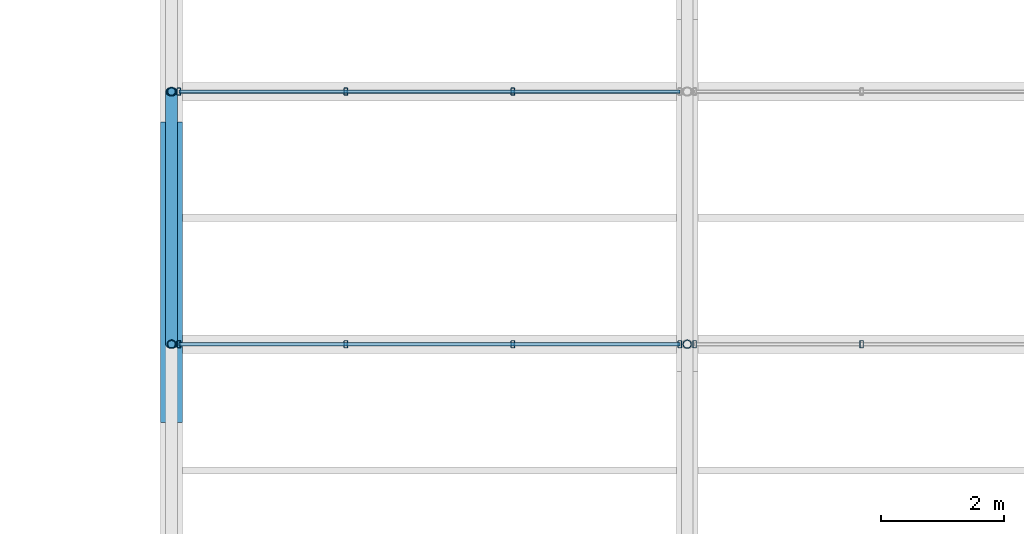
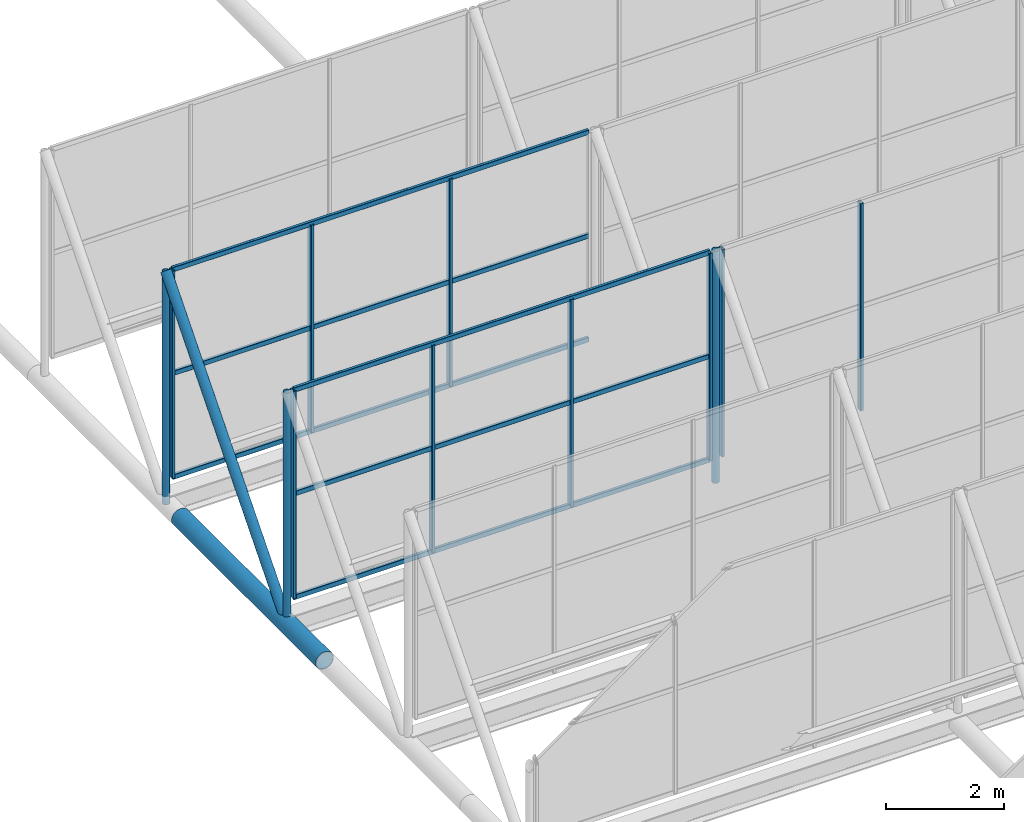
# One storey, part 18 of 77: 20 members, 3 elements without a shape of their own.
"""IFC4 building model written with IfcOpenShell, lengths in metres."""

from ifc_helpers import new_model, si_unit, derived_unit, direction, frame, origin, origin_2d, place, context, subcontext, project, spatial, hollow_rectangle, hollow_circle, extrude, material, material_profile, profile_set, type_object, element, aggregate, save


model = new_model("IFC4")

# Units and contexts
model_context = context("Model", 3, precision=1e-05, world=origin(), true_north=direction((0.0, 1.0)))
body_context = subcontext(model_context, "Body", "Model", "MODEL_VIEW")
ifc_project = project(units=[si_unit("LENGTHUNIT", "METRE"), si_unit("AREAUNIT", "SQUARE_METRE"), si_unit("VOLUMEUNIT", "CUBIC_METRE"), si_unit("PLANEANGLEUNIT", "RADIAN"), si_unit("MASSUNIT", "GRAM", prefix="KILO"), derived_unit("THERMALTRANSMITTANCEUNIT", [(si_unit("MASSUNIT", "GRAM", prefix="KILO"), 1), (si_unit("TIMEUNIT", "SECOND"), -3), (si_unit("THERMODYNAMICTEMPERATUREUNIT", "KELVIN"), -1)])], contexts=[model_context])

# Site, building, storey
site_placement = place(None, origin())
site = spatial("IfcSite", under=ifc_project, at=site_placement, CompositionType="ELEMENT")
building_placement = place(site_placement, origin())
building = spatial("IfcBuilding", under=site, at=building_placement, Name="Kharveza Railside Sports Centre", CompositionType="ELEMENT")
storey_placement = place(building_placement, frame((0.0, 0.0, 17.10009765625)))
storey = spatial("IfcBuildingStorey", under=building, at=storey_placement, Name="L04", CompositionType="ELEMENT", Elevation=17.10009765625)

# Curtain wall, members
ifc_material_1 = material(Name="Low-E solar-control laminated glass", Category="glass")
curtain_wall_type = type_object("IfcCurtainWallType", Name="CW-NL01", PredefinedType="NOTDEFINED", material=ifc_material_1)
curtain_wall_1_placement = place(storey_placement, origin())
curtain_wall_1 = element("IfcCurtainWall", 1, at=curtain_wall_1_placement, inside=storey, type_object=curtain_wall_type, Name="CW-V1NL-5-1", PredefinedType="NOTDEFINED")
ifc_material_2 = material(Name="Anodised aluminium 6063-T6", Category="aluminium")
ifc_material_profile_1 = material_profile(ifc_material_2, hollow_rectangle(XDim=0.06005859375, YDim=0.1201171875, WallThickness=0.0048828125, InnerFilletRadius=0.0048828125, OuterFilletRadius=0.010009765625, at=origin_2d()), Name="RHS 60x120x5.0")
ifc_profile_set_1 = profile_set([ifc_material_profile_1], Name="Anodised aluminium 6063-T6")
member_type_1 = type_object("IfcMemberType", Name="CW-ML05", PredefinedType="MULLION", material=ifc_profile_set_1)
member_1_placement = place(storey_placement, frame((33.719970703125, 56.5712890625, -0.550048828125), z_axis=(0.0, 0.0, 1.0), x_axis=(1.0, 0.0, 0.0)))
member_1 = element("IfcMember", 2, at=member_1_placement, type_object=member_type_1, Name="CW-V1NL-5-1-ML1", PredefinedType="MULLION", context=body_context, shape_type="SweptSolid", body=[
    extrude(hollow_rectangle(XDim=0.06005859375, YDim=0.1201171875, WallThickness=0.0048828125, InnerFilletRadius=0.0048828125, OuterFilletRadius=0.010009765625, at=origin_2d()), origin(), (0.0, 0.0, 1.0), 4.300048828125),
])
member_2_placement = place(storey_placement, frame((36.43994140625, 56.5712890625, -0.550048828125), z_axis=(0.0, 0.0, 1.0), x_axis=(1.0, 0.0, 0.0)))
member_2 = element("IfcMember", 3, at=member_2_placement, type_object=member_type_1, Name="CW-V1NL-5-1-ML2", PredefinedType="MULLION", context=body_context, shape_type="SweptSolid", body=[
    extrude(hollow_rectangle(XDim=0.06005859375, YDim=0.1201171875, WallThickness=0.0048828125, InnerFilletRadius=0.0048828125, OuterFilletRadius=0.010009765625, at=origin_2d()), origin(), (0.0, 0.0, 1.0), 4.300048828125),
])
member_3_placement = place(storey_placement, frame((39.159912109375, 56.5712890625, -0.550048828125), z_axis=(0.0, 0.0, 1.0), x_axis=(1.0, 0.0, 0.0)))
member_3 = element("IfcMember", 4, at=member_3_placement, type_object=member_type_1, Name="CW-V1NL-5-1-ML3", PredefinedType="MULLION", context=body_context, shape_type="SweptSolid", body=[
    extrude(hollow_rectangle(XDim=0.06005859375, YDim=0.1201171875, WallThickness=0.0048828125, InnerFilletRadius=0.0048828125, OuterFilletRadius=0.010009765625, at=origin_2d()), origin(), (0.0, 0.0, 1.0), 4.300048828125),
])
member_4_placement = place(storey_placement, frame((41.8798828125, 56.5712890625, -0.550048828125), z_axis=(0.0, 0.0, 1.0), x_axis=(1.0, 0.0, 0.0)))
member_4 = element("IfcMember", 5, at=member_4_placement, type_object=member_type_1, Name="CW-V1NL-5-1-ML4", PredefinedType="MULLION", context=body_context, shape_type="SweptSolid", body=[
    extrude(hollow_rectangle(XDim=0.06005859375, YDim=0.1201171875, WallThickness=0.0048828125, InnerFilletRadius=0.0048828125, OuterFilletRadius=0.010009765625, at=origin_2d()), origin(), (0.0, 0.0, 1.0), 4.300048828125),
])

curtain_wall_2_placement = place(storey_placement, origin())
curtain_wall_2 = element("IfcCurtainWall", 6, at=curtain_wall_2_placement, inside=storey, type_object=curtain_wall_type, Name="CW-V1NL-5-2", PredefinedType="NOTDEFINED")
member_5_placement = place(storey_placement, frame((42.1201171875, 56.5712890625, -0.550048828125), z_axis=(0.0, 0.0, 1.0), x_axis=(1.0, 0.0, 0.0)))
member_5 = element("IfcMember", 7, at=member_5_placement, type_object=member_type_1, Name="CW-V1NL-5-2-ML1", PredefinedType="MULLION", context=body_context, shape_type="SweptSolid", body=[
    extrude(hollow_rectangle(XDim=0.06005859375, YDim=0.1201171875, WallThickness=0.0048828125, InnerFilletRadius=0.0048828125, OuterFilletRadius=0.010009765625, at=origin_2d()), origin(), (0.0, 0.0, 1.0), 4.300048828125),
])
member_6_placement = place(storey_placement, frame((44.840087890625, 56.5712890625, -0.550048828125), z_axis=(0.0, 0.0, 1.0), x_axis=(1.0, 0.0, 0.0)))
member_6 = element("IfcMember", 8, at=member_6_placement, type_object=member_type_1, Name="CW-V1NL-5-2-ML2", PredefinedType="MULLION", context=body_context, shape_type="SweptSolid", body=[
    extrude(hollow_rectangle(XDim=0.06005859375, YDim=0.1201171875, WallThickness=0.0048828125, InnerFilletRadius=0.0048828125, OuterFilletRadius=0.010009765625, at=origin_2d()), origin(), (0.0, 0.0, 1.0), 4.300048828125),
])
aggregate(curtain_wall_2, [member_5, member_6])

curtain_wall_3_placement = place(storey_placement, origin())
curtain_wall_3 = element("IfcCurtainWall", 9, at=curtain_wall_3_placement, inside=storey, type_object=curtain_wall_type, Name="CW-V1NL-6-1", PredefinedType="NOTDEFINED")
member_7_placement = place(storey_placement, frame((33.719970703125, 60.685791015625, -0.550048828125), z_axis=(0.0, 0.0, 1.0), x_axis=(1.0, 0.0, 0.0)))
member_7 = element("IfcMember", 10, at=member_7_placement, type_object=member_type_1, Name="CW-V1NL-6-1-ML1", PredefinedType="MULLION", context=body_context, shape_type="SweptSolid", body=[
    extrude(hollow_rectangle(XDim=0.06005859375, YDim=0.1201171875, WallThickness=0.0048828125, InnerFilletRadius=0.0048828125, OuterFilletRadius=0.010009765625, at=origin_2d()), origin(), (0.0, 0.0, 1.0), 4.300048828125),
])
member_8_placement = place(storey_placement, frame((36.43994140625, 60.685791015625, -0.550048828125), z_axis=(0.0, 0.0, 1.0), x_axis=(1.0, 0.0, 0.0)))
member_8 = element("IfcMember", 11, at=member_8_placement, type_object=member_type_1, Name="CW-V1NL-6-1-ML2", PredefinedType="MULLION", context=body_context, shape_type="SweptSolid", body=[
    extrude(hollow_rectangle(XDim=0.06005859375, YDim=0.1201171875, WallThickness=0.0048828125, InnerFilletRadius=0.0048828125, OuterFilletRadius=0.010009765625, at=origin_2d()), origin(), (0.0, 0.0, 1.0), 4.300048828125),
])
member_9_placement = place(storey_placement, frame((39.159912109375, 60.685791015625, -0.550048828125), z_axis=(0.0, 0.0, 1.0), x_axis=(1.0, 0.0, 0.0)))
member_9 = element("IfcMember", 12, at=member_9_placement, type_object=member_type_1, Name="CW-V1NL-6-1-ML3", PredefinedType="MULLION", context=body_context, shape_type="SweptSolid", body=[
    extrude(hollow_rectangle(XDim=0.06005859375, YDim=0.1201171875, WallThickness=0.0048828125, InnerFilletRadius=0.0048828125, OuterFilletRadius=0.010009765625, at=origin_2d()), origin(), (0.0, 0.0, 1.0), 4.300048828125),
])

# Member
ifc_material_profile_2 = material_profile(ifc_material_2, hollow_rectangle(XDim=0.06005859375, YDim=0.10009765625, WallThickness=0.00390625, InnerFilletRadius=0.00390625, OuterFilletRadius=0.008056640625, at=origin_2d()), Name="RHS 60x100x4.0")
ifc_profile_set_2 = profile_set([ifc_material_profile_2], Name="Anodised aluminium 6063-T6")
member_type_2 = type_object("IfcMemberType", Name="CW-TR05", PredefinedType="USERDEFINED", material=ifc_profile_set_2)
member_10_placement = place(storey_placement, frame((33.719970703125, 56.5712890625, -0.550048828125), z_axis=(1.0, 0.0, 0.0), x_axis=(0.0, 1.0, 0.0)))
member_10 = element("IfcMember", 13, at=member_10_placement, type_object=member_type_2, Name="CW-V1NL-5-1-TR1", ObjectType="TRANSOM", PredefinedType="USERDEFINED", context=body_context, shape_type="SweptSolid", body=[
    extrude(hollow_rectangle(XDim=0.06005859375, YDim=0.10009765625, WallThickness=0.00390625, InnerFilletRadius=0.00390625, OuterFilletRadius=0.008056640625, at=origin_2d()), origin(), (0.0, 0.0, 1.0), 8.159912109375),
])

member_11_placement = place(storey_placement, frame((33.719970703125, 56.5712890625, 1.599853515625), z_axis=(1.0, 0.0, 0.0), x_axis=(0.0, 1.0, 0.0)))
member_11 = element("IfcMember", 14, at=member_11_placement, type_object=member_type_2, Name="CW-V1NL-5-1-TR2", ObjectType="TRANSOM", PredefinedType="USERDEFINED", context=body_context, shape_type="SweptSolid", body=[
    extrude(hollow_rectangle(XDim=0.06005859375, YDim=0.10009765625, WallThickness=0.00390625, InnerFilletRadius=0.00390625, OuterFilletRadius=0.008056640625, at=origin_2d()), origin(), (0.0, 0.0, 1.0), 8.159912109375),
])

member_12_placement = place(storey_placement, frame((33.719970703125, 56.5712890625, 3.75), z_axis=(1.0, 0.0, 0.0), x_axis=(0.0, 1.0, 0.0)))
member_12 = element("IfcMember", 15, at=member_12_placement, type_object=member_type_2, Name="CW-V1NL-5-1-TR3", ObjectType="TRANSOM", PredefinedType="USERDEFINED", context=body_context, shape_type="SweptSolid", body=[
    extrude(hollow_rectangle(XDim=0.06005859375, YDim=0.10009765625, WallThickness=0.00390625, InnerFilletRadius=0.00390625, OuterFilletRadius=0.008056640625, at=origin_2d()), origin(), (0.0, 0.0, 1.0), 8.159912109375),
])

aggregate(curtain_wall_1, [member_1, member_2, member_3, member_4, member_10, member_11, member_12])

member_13_placement = place(storey_placement, frame((33.719970703125, 60.685791015625, -0.550048828125), z_axis=(1.0, 0.0, 0.0), x_axis=(0.0, 1.0, 0.0)))
member_13 = element("IfcMember", 16, at=member_13_placement, type_object=member_type_2, Name="CW-V1NL-6-1-TR1", ObjectType="TRANSOM", PredefinedType="USERDEFINED", context=body_context, shape_type="SweptSolid", body=[
    extrude(hollow_rectangle(XDim=0.06005859375, YDim=0.10009765625, WallThickness=0.00390625, InnerFilletRadius=0.00390625, OuterFilletRadius=0.008056640625, at=origin_2d()), origin(), (0.0, 0.0, 1.0), 8.159912109375),
])

member_14_placement = place(storey_placement, frame((33.719970703125, 60.685791015625, 1.599853515625), z_axis=(1.0, 0.0, 0.0), x_axis=(0.0, 1.0, 0.0)))
member_14 = element("IfcMember", 17, at=member_14_placement, type_object=member_type_2, Name="CW-V1NL-6-1-TR2", ObjectType="TRANSOM", PredefinedType="USERDEFINED", context=body_context, shape_type="SweptSolid", body=[
    extrude(hollow_rectangle(XDim=0.06005859375, YDim=0.10009765625, WallThickness=0.00390625, InnerFilletRadius=0.00390625, OuterFilletRadius=0.008056640625, at=origin_2d()), origin(), (0.0, 0.0, 1.0), 8.159912109375),
])

member_15_placement = place(storey_placement, frame((33.719970703125, 60.685791015625, 3.75), z_axis=(1.0, 0.0, 0.0), x_axis=(0.0, 1.0, 0.0)))
member_15 = element("IfcMember", 18, at=member_15_placement, type_object=member_type_2, Name="CW-V1NL-6-1-TR3", ObjectType="TRANSOM", PredefinedType="USERDEFINED", context=body_context, shape_type="SweptSolid", body=[
    extrude(hollow_rectangle(XDim=0.06005859375, YDim=0.10009765625, WallThickness=0.00390625, InnerFilletRadius=0.00390625, OuterFilletRadius=0.008056640625, at=origin_2d()), origin(), (0.0, 0.0, 1.0), 8.159912109375),
])

aggregate(curtain_wall_3, [member_7, member_8, member_9, member_13, member_14, member_15])

# Members
ifc_material_3 = material(Name="Steel S355J2", Category="steel")
ifc_material_profile_3 = material_profile(ifc_material_3, hollow_circle(Radius=0.177734375, WallThickness=0.01611328125, at=origin_2d()), Name="CHS 355.6x16.0")
ifc_profile_set_3 = profile_set([ifc_material_profile_3], Name="Steel S355J2")
member_type_3 = type_object("IfcMemberType", Name="MB-CH01", PredefinedType="CHORD", material=ifc_profile_set_3)
member_16_placement = place(storey_placement, frame((33.60009765625, 55.296630859375, -1.050048828125), z_axis=(0.0, 1.0, 0.0), x_axis=(-1.0, 0.0, 0.0)))
element("IfcMember", 19, at=member_16_placement, inside=storey, type_object=member_type_3, Name="MB-V1TR-TC-1-6", PredefinedType="CHORD", context=body_context, shape_type="SweptSolid", body=[
    extrude(hollow_circle(Radius=0.177734375, WallThickness=0.01611328125, at=origin_2d()), origin(), (0.0, 0.0, 1.0), 4.896728515625),
])
ifc_material_profile_4 = material_profile(ifc_material_3, hollow_circle(Radius=0.096923828125, WallThickness=0.010009765625, at=origin_2d()), Name="CHS 193.7x10.0")
ifc_profile_set_4 = profile_set([ifc_material_profile_4], Name="Steel S355J2")
member_type_4 = type_object("IfcMemberType", Name="MB-ST02", PredefinedType="STRUT", material=ifc_profile_set_4)
member_17_placement = place(storey_placement, frame((33.60009765625, 56.5712890625, -1.050048828125), z_axis=(0.0, 0.65002553535, 0.759912365601), x_axis=(-1.0, 0.0, 0.0)))
element("IfcMember", 20, at=member_17_placement, inside=storey, type_object=member_type_4, Name="MB-V1SAW-RFT-6-1", PredefinedType="STRUT", context=body_context, shape_type="SweptSolid", body=[
    extrude(hollow_circle(Radius=0.096923828125, WallThickness=0.010009765625, at=origin_2d()), origin(), (0.0, 0.0, 1.0), 6.329833984375),
])
ifc_material_profile_5 = material_profile(ifc_material_3, hollow_circle(Radius=0.06982421875, WallThickness=0.008056640625, at=origin_2d()), Name="CHS 139.7x8.0")
ifc_profile_set_5 = profile_set([ifc_material_profile_5], Name="Steel S355J2")
member_type_5 = type_object("IfcMemberType", Name="MB-ST04", PredefinedType="STRUT", material=ifc_profile_set_5)
for number, where, z_axis, x_axis, name in (
    (21, (33.60009765625, 56.5712890625, -1.050048828125), (0.0, 0.0, 1.0), (1.0, 0.0, 0.0), "MB-V1SAW-PST-5-1"),
    (22, (42.0, 56.5712890625, -1.050048828125), (0.0, 0.0, 1.0), (1.0, 0.0, 0.0), "MB-V1SAW-PST-5-2"),
    (23, (33.60009765625, 60.685791015625, -1.050048828125), (0.0, 0.0, 1.0), (1.0, 0.0, 0.0), "MB-V1SAW-PST-6-1"),
):
    element("IfcMember", number, at=place(storey_placement, frame(where, z_axis=z_axis, x_axis=x_axis)), inside=storey, type_object=member_type_5, Name=name, PredefinedType="STRUT", context=body_context, shape_type="SweptSolid", body=[
        extrude(hollow_circle(Radius=0.06982421875, WallThickness=0.008056640625, at=origin_2d()), origin(), (0.0, 0.0, 1.0), 4.81005859375),
    ])

save(model, "model.ifc")
